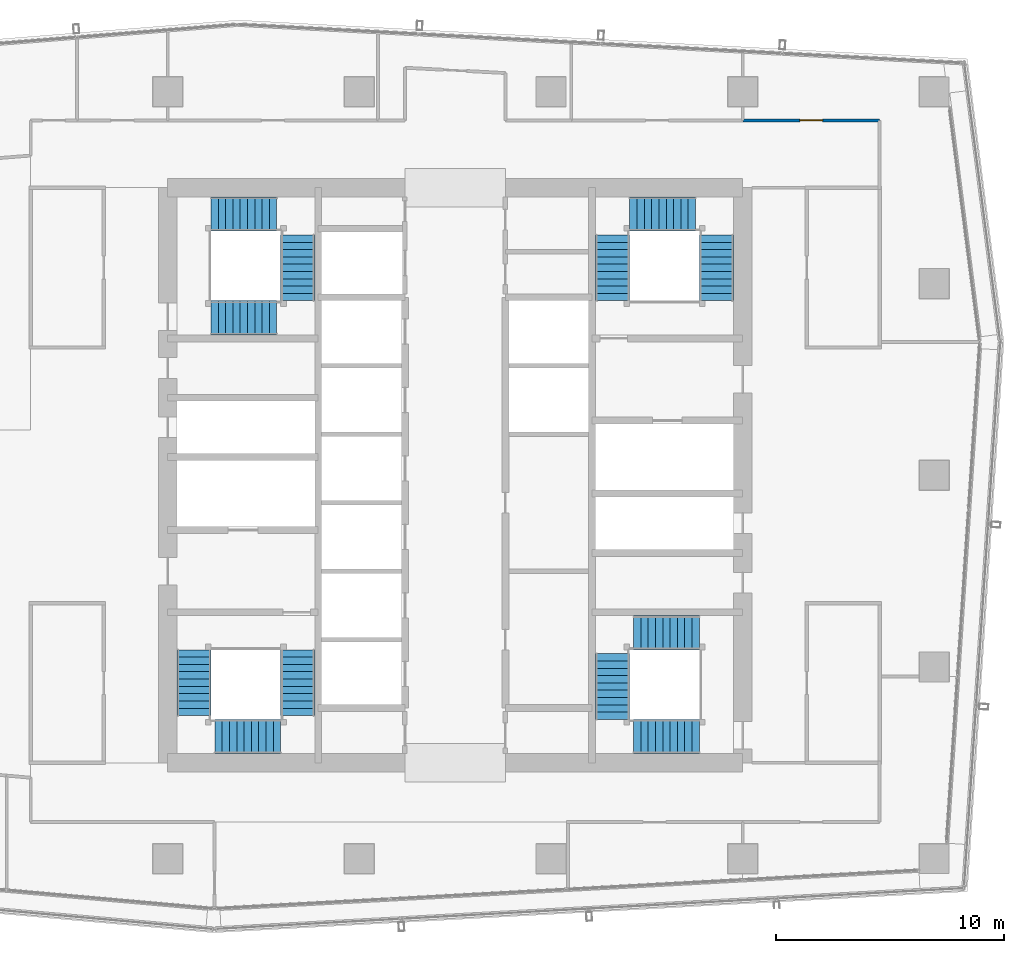
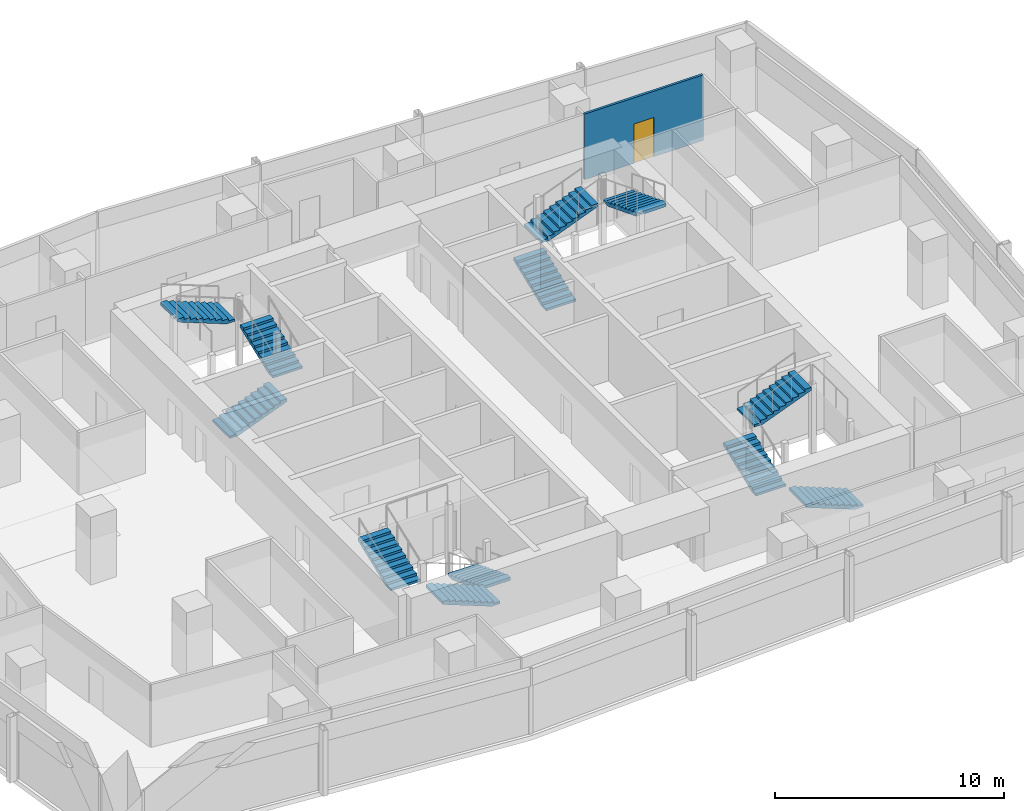
# One storey, part 25 of 29: 12 stair flights, 1 door, 1 wall, 1 opening, 4 elements without a shape of their own.
"""IFC4 building model written with IfcOpenShell, lengths in metres."""

from ifc_helpers import new_model, si_unit, direction, frame, frame_2d, origin, place, context, subcontext, project, spatial, polyline, rectangle, outline, extrude, material, layer, layer_set, type_object, element, fill, aggregate, save


model = new_model("IFC4")

# Units and contexts
model_context = context("Model", 3, precision=1e-05, world=origin(), true_north=direction((0.0, 1.0)))
body_context = subcontext(model_context, "Body", "Model", "MODEL_VIEW")
ifc_project = project(units=[si_unit("LENGTHUNIT", "METRE"), si_unit("AREAUNIT", "SQUARE_METRE"), si_unit("VOLUMEUNIT", "CUBIC_METRE"), si_unit("PLANEANGLEUNIT", "RADIAN"), si_unit("MASSUNIT", "GRAM", prefix="KILO")], contexts=[model_context])

# Site, building, storey
site_placement = place(None, origin())
site = spatial("IfcSite", under=ifc_project, at=site_placement, CompositionType="ELEMENT")
building_placement = place(site_placement, origin())
building = spatial("IfcBuilding", under=site, at=building_placement, Name="Rekha Terrace Tower", CompositionType="ELEMENT")
storey_placement = place(building_placement, frame((0.0, 0.0, 257.60009765625)))
storey = spatial("IfcBuildingStorey", under=building, at=storey_placement, Name="L65", CompositionType="ELEMENT", Elevation=257.60009765625)

# Wall, opening, door
ifc_material_1 = material(Name="Two layers of fire-rated gypsum board each side on steel studs, acoustic quilt, 1 hour", Category="steel")
ifc_layer = layer(ifc_material_1, 0.125)
ifc_layer_set = layer_set([ifc_layer], Name="Two layers of fire-rated gypsum board each side on steel studs, acoustic quilt, 1 hour")
wall_type = type_object("IfcWallType", Name="WP3 125 office partition", PredefinedType="PARTITIONING", material=ifc_layer_set)
wall_placement = place(storey_placement, frame((56.39990234375, 49.14990234375, 0.0), z_axis=(0.0, 0.0, 1.0), x_axis=(-1.0, 0.0, 0.0)))
wall = element("IfcWall", 1, at=wall_placement, inside=storey, type_object=wall_type, Name="Partition L65-06", PredefinedType="PARTITIONING", context=body_context, shape_type="SweptSolid", body=[
    extrude(rectangle(XDim=5.996826171875, YDim=0.125, at=frame_2d((2.99853515625, 0.0))), origin(), (0.0, 0.0, 1.0), 3.5),
])
opening_placement = place(wall_placement, frame((2.498046875, 0.0, 0.0)))
opening = element("IfcOpeningElement", 2, at=opening_placement, cuts=wall, Name="Opening D9", PredefinedType="OPENING", context=body_context, shape_type="SweptSolid", body=[
    extrude(rectangle(XDim=1.0, YDim=2.10009765625, at=frame_2d((0.5, 1.050048828125))), frame((0.0, 0.072509765625, 0.0), z_axis=(0.0, -1.0, 0.0), x_axis=(1.0, 0.0, 0.0)), (0.0, 0.0, 1.0), 0.14501953125),
])
ifc_material_2 = material(Name="Timber fire door", Category="wood")
door_type = type_object("IfcDoorType", Name="D9 1000x2100 office door", OperationType="SINGLE_SWING_LEFT", PredefinedType="DOOR", material=ifc_material_2)
door_placement = place(opening_placement, origin())
door = element("IfcDoor", 3, at=door_placement, inside=storey, type_object=door_type, Name="Door director's office L65", OperationType="SINGLE_SWING_LEFT", OverallHeight=2.10009765625, OverallWidth=1.0, PredefinedType="DOOR", context=body_context, shape_type="SweptSolid", body=[
    extrude(rectangle(XDim=1.0, YDim=2.10009765625, at=frame_2d((0.5, 1.050048828125))), frame((0.0, 0.02490234375, 0.0), z_axis=(0.0, -1.0, 0.0), x_axis=(1.0, 0.0, 0.0)), (0.0, 0.0, 1.0), 0.050048828125),
])
fill(opening, door)

# Stair, stair flights
ifc_material_3 = material(Name="Concrete M40", Category="concrete")
stair_type = type_object("IfcStairType", Name="ST30 stair, 30 risers of 125, going 320, 1500 wide flights, 3 flights", PredefinedType="HALF_TURN_STAIR", material=ifc_material_3)
stair_1_placement = place(storey_placement, origin())
stair_1 = element("IfcStair", 4, at=stair_1_placement, inside=storey, type_object=stair_type, Name="Stair ST1 L65 to L66", PredefinedType="HALF_TURN_STAIR")
stair_flight_type = type_object("IfcStairFlightType", Name="SF10 stair flight, 10 risers of 125, going 320, 1500 wide", PredefinedType="STRAIGHT", material=ifc_material_3)
stair_flight_1_placement = place(storey_placement, frame((30.89990234375, 25.949951171875, 0.0), z_axis=(0.0, 0.0, 1.0), x_axis=(0.0, -1.0, 0.0)))
stair_flight_1 = element("IfcStairFlight", 5, at=stair_flight_1_placement, type_object=stair_flight_type, Name="ST1 flight 1", NumberOfRisers=10, NumberOfTreads=9, PredefinedType="STRAIGHT", RiserHeight=0.125, TreadLength=0.32, context=body_context, shape_type="SweptSolid", body=[
    extrude(outline(polyline([(0.0, 0.0), (0.0, 0.125), (0.320068359375, 0.125), (0.320068359375, 0.25), (0.639892578125, 0.25), (0.639892578125, 0.375), (0.9599609375, 0.375), (0.9599609375, 0.5), (1.280029296875, 0.5), (1.280029296875, 0.625), (1.60009765625, 0.625), (1.60009765625, 0.75), (1.919921875, 0.75), (1.919921875, 0.875), (2.239990234375, 0.875), (2.239990234375, 1.0), (2.56005859375, 1.0), (2.56005859375, 1.125), (2.8798828125, 1.125), (2.8798828125, 1.25), (2.8798828125, 0.964111328125), (0.412109375, 0.0), (0.0, 0.0)])), frame((0.0, 0.75, 0.0), z_axis=(0.0, -1.0, 0.0), x_axis=(1.0, 0.0, 0.0)), (0.0, 0.0, 1.0), 1.5),
])
stair_flight_2_placement = place(storey_placement, frame((30.14990234375, 22.14990234375, 1.25), z_axis=(0.0, 0.0, 1.0), x_axis=(-1.0, 0.0, 0.0)))
stair_flight_2 = element("IfcStairFlight", 6, at=stair_flight_2_placement, type_object=stair_flight_type, Name="ST1 flight 2", NumberOfRisers=10, NumberOfTreads=9, PredefinedType="STRAIGHT", RiserHeight=0.125, TreadLength=0.32, context=body_context, shape_type="SweptSolid", body=[
    extrude(outline(polyline([(0.0, 0.0), (0.0, 0.125), (0.320068359375, 0.125), (0.320068359375, 0.25), (0.639892578125, 0.25), (0.639892578125, 0.375), (0.9599609375, 0.375), (0.9599609375, 0.5), (1.280029296875, 0.5), (1.280029296875, 0.625), (1.60009765625, 0.625), (1.60009765625, 0.75), (1.919921875, 0.75), (1.919921875, 0.875), (2.239990234375, 0.875), (2.239990234375, 1.0), (2.56005859375, 1.0), (2.56005859375, 1.125), (2.8798828125, 1.125), (2.8798828125, 1.25), (2.8798828125, 0.964111328125), (0.412109375, 0.0), (0.0, 0.0)])), frame((0.0, 0.75, 0.0), z_axis=(0.0, -1.0, 0.0), x_axis=(1.0, 0.0, 0.0)), (0.0, 0.0, 1.0), 1.5),
])
stair_flight_3_placement = place(storey_placement, frame((26.35009765625, 23.070068359375, 2.5), z_axis=(0.0, 0.0, 1.0), x_axis=(0.0, 1.0, 0.0)))
stair_flight_3 = element("IfcStairFlight", 7, at=stair_flight_3_placement, type_object=stair_flight_type, Name="ST1 flight 3", NumberOfRisers=10, NumberOfTreads=9, PredefinedType="STRAIGHT", RiserHeight=0.125, TreadLength=0.32, context=body_context, shape_type="SweptSolid", body=[
    extrude(outline(polyline([(0.0, 0.0), (0.0, 0.125), (0.320068359375, 0.125), (0.320068359375, 0.25), (0.639892578125, 0.25), (0.639892578125, 0.375), (0.9599609375, 0.375), (0.9599609375, 0.5), (1.280029296875, 0.5), (1.280029296875, 0.625), (1.60009765625, 0.625), (1.60009765625, 0.75), (1.919921875, 0.75), (1.919921875, 0.875), (2.239990234375, 0.875), (2.239990234375, 1.0), (2.56005859375, 1.0), (2.56005859375, 1.125), (2.8798828125, 1.125), (2.8798828125, 1.25), (2.8798828125, 0.964111328125), (0.412109375, 0.0), (0.0, 0.0)])), frame((0.0, 0.75, 0.0), z_axis=(0.0, -1.0, 0.0), x_axis=(1.0, 0.0, 0.0)), (0.0, 0.0, 1.0), 1.5),
])
aggregate(stair_1, [stair_flight_1, stair_flight_2, stair_flight_3])

stair_2_placement = place(storey_placement, origin())
stair_2 = element("IfcStair", 8, at=stair_2_placement, inside=storey, type_object=stair_type, Name="Stair ST2 L65 to L66", PredefinedType="HALF_TURN_STAIR")
stair_flight_4_placement = place(storey_placement, frame((44.699951171875, 41.25, 0.0), z_axis=(0.0, 0.0, 1.0), x_axis=(0.0, 1.0, 0.0)))
stair_flight_4 = element("IfcStairFlight", 9, at=stair_flight_4_placement, type_object=stair_flight_type, Name="ST2 flight 1", NumberOfRisers=10, NumberOfTreads=9, PredefinedType="STRAIGHT", RiserHeight=0.125, TreadLength=0.32, context=body_context, shape_type="SweptSolid", body=[
    extrude(outline(polyline([(0.0, 0.0), (0.0, 0.125), (0.320068359375, 0.125), (0.320068359375, 0.25), (0.639892578125, 0.25), (0.639892578125, 0.375), (0.9599609375, 0.375), (0.9599609375, 0.5), (1.280029296875, 0.5), (1.280029296875, 0.625), (1.60009765625, 0.625), (1.60009765625, 0.75), (1.919921875, 0.75), (1.919921875, 0.875), (2.239990234375, 0.875), (2.239990234375, 1.0), (2.56005859375, 1.0), (2.56005859375, 1.125), (2.8798828125, 1.125), (2.8798828125, 1.25), (2.8798828125, 0.964111328125), (0.412109375, 0.0), (0.0, 0.0)])), frame((0.0, 0.75, 0.0), z_axis=(0.0, -1.0, 0.0), x_axis=(1.0, 0.0, 0.0)), (0.0, 0.0, 1.0), 1.5),
])
stair_flight_5_placement = place(storey_placement, frame((45.449951171875, 45.050048828125, 1.25), z_axis=(0.0, 0.0, 1.0), x_axis=(1.0, 0.0, 0.0)))
stair_flight_5 = element("IfcStairFlight", 10, at=stair_flight_5_placement, type_object=stair_flight_type, Name="ST2 flight 2", NumberOfRisers=10, NumberOfTreads=9, PredefinedType="STRAIGHT", RiserHeight=0.125, TreadLength=0.32, context=body_context, shape_type="SweptSolid", body=[
    extrude(outline(polyline([(0.0, 0.0), (0.0, 0.125), (0.320068359375, 0.125), (0.320068359375, 0.25), (0.639892578125, 0.25), (0.639892578125, 0.375), (0.9599609375, 0.375), (0.9599609375, 0.5), (1.280029296875, 0.5), (1.280029296875, 0.625), (1.60009765625, 0.625), (1.60009765625, 0.75), (1.919921875, 0.75), (1.919921875, 0.875), (2.239990234375, 0.875), (2.239990234375, 1.0), (2.56005859375, 1.0), (2.56005859375, 1.125), (2.8798828125, 1.125), (2.8798828125, 1.25), (2.8798828125, 0.964111328125), (0.412109375, 0.0), (0.0, 0.0)])), frame((0.0, 0.75, 0.0), z_axis=(0.0, -1.0, 0.0), x_axis=(1.0, 0.0, 0.0)), (0.0, 0.0, 1.0), 1.5),
])
stair_flight_6_placement = place(storey_placement, frame((49.25, 44.1298828125, 2.5), z_axis=(0.0, 0.0, 1.0), x_axis=(0.0, -1.0, 0.0)))
stair_flight_6 = element("IfcStairFlight", 11, at=stair_flight_6_placement, type_object=stair_flight_type, Name="ST2 flight 3", NumberOfRisers=10, NumberOfTreads=9, PredefinedType="STRAIGHT", RiserHeight=0.125, TreadLength=0.32, context=body_context, shape_type="SweptSolid", body=[
    extrude(outline(polyline([(0.0, 0.0), (0.0, 0.125), (0.320068359375, 0.125), (0.320068359375, 0.25), (0.639892578125, 0.25), (0.639892578125, 0.375), (0.9599609375, 0.375), (0.9599609375, 0.5), (1.280029296875, 0.5), (1.280029296875, 0.625), (1.60009765625, 0.625), (1.60009765625, 0.75), (1.919921875, 0.75), (1.919921875, 0.875), (2.239990234375, 0.875), (2.239990234375, 1.0), (2.56005859375, 1.0), (2.56005859375, 1.125), (2.8798828125, 1.125), (2.8798828125, 1.25), (2.8798828125, 0.964111328125), (0.412109375, 0.0), (0.0, 0.0)])), frame((0.0, 0.75, 0.0), z_axis=(0.0, -1.0, 0.0), x_axis=(1.0, 0.0, 0.0)), (0.0, 0.0, 1.0), 1.5),
])
aggregate(stair_2, [stair_flight_4, stair_flight_5, stair_flight_6])

stair_3_placement = place(storey_placement, origin())
stair_3 = element("IfcStair", 12, at=stair_3_placement, inside=storey, type_object=stair_type, Name="Stair ST3 L65 to L66", PredefinedType="HALF_TURN_STAIR")
stair_flight_7_placement = place(storey_placement, frame((48.5, 22.14990234375, 0.0), z_axis=(0.0, 0.0, 1.0), x_axis=(-1.0, 0.0, 0.0)))
stair_flight_7 = element("IfcStairFlight", 13, at=stair_flight_7_placement, type_object=stair_flight_type, Name="ST3 flight 1", NumberOfRisers=10, NumberOfTreads=9, PredefinedType="STRAIGHT", RiserHeight=0.125, TreadLength=0.32, context=body_context, shape_type="SweptSolid", body=[
    extrude(outline(polyline([(0.0, 0.0), (0.0, 0.125), (0.320068359375, 0.125), (0.320068359375, 0.25), (0.639892578125, 0.25), (0.639892578125, 0.375), (0.9599609375, 0.375), (0.9599609375, 0.5), (1.280029296875, 0.5), (1.280029296875, 0.625), (1.60009765625, 0.625), (1.60009765625, 0.75), (1.919921875, 0.75), (1.919921875, 0.875), (2.239990234375, 0.875), (2.239990234375, 1.0), (2.56005859375, 1.0), (2.56005859375, 1.125), (2.8798828125, 1.125), (2.8798828125, 1.25), (2.8798828125, 0.964111328125), (0.412109375, 0.0), (0.0, 0.0)])), frame((0.0, 0.75, 0.0), z_axis=(0.0, -1.0, 0.0), x_axis=(1.0, 0.0, 0.0)), (0.0, 0.0, 1.0), 1.5),
])
stair_flight_8_placement = place(storey_placement, frame((44.699951171875, 22.89990234375, 1.25), z_axis=(0.0, 0.0, 1.0), x_axis=(0.0, 1.0, 0.0)))
stair_flight_8 = element("IfcStairFlight", 14, at=stair_flight_8_placement, type_object=stair_flight_type, Name="ST3 flight 2", NumberOfRisers=10, NumberOfTreads=9, PredefinedType="STRAIGHT", RiserHeight=0.125, TreadLength=0.32, context=body_context, shape_type="SweptSolid", body=[
    extrude(outline(polyline([(0.0, 0.0), (0.0, 0.125), (0.320068359375, 0.125), (0.320068359375, 0.25), (0.639892578125, 0.25), (0.639892578125, 0.375), (0.9599609375, 0.375), (0.9599609375, 0.5), (1.280029296875, 0.5), (1.280029296875, 0.625), (1.60009765625, 0.625), (1.60009765625, 0.75), (1.919921875, 0.75), (1.919921875, 0.875), (2.239990234375, 0.875), (2.239990234375, 1.0), (2.56005859375, 1.0), (2.56005859375, 1.125), (2.8798828125, 1.125), (2.8798828125, 1.25), (2.8798828125, 0.964111328125), (0.412109375, 0.0), (0.0, 0.0)])), frame((0.0, 0.75, 0.0), z_axis=(0.0, -1.0, 0.0), x_axis=(1.0, 0.0, 0.0)), (0.0, 0.0, 1.0), 1.5),
])
stair_flight_9_placement = place(storey_placement, frame((45.6201171875, 26.699951171875, 2.5), z_axis=(0.0, 0.0, 1.0), x_axis=(1.0, 0.0, 0.0)))
stair_flight_9 = element("IfcStairFlight", 15, at=stair_flight_9_placement, type_object=stair_flight_type, Name="ST3 flight 3", NumberOfRisers=10, NumberOfTreads=9, PredefinedType="STRAIGHT", RiserHeight=0.125, TreadLength=0.32, context=body_context, shape_type="SweptSolid", body=[
    extrude(outline(polyline([(0.0, 0.0), (0.0, 0.125), (0.320068359375, 0.125), (0.320068359375, 0.25), (0.639892578125, 0.25), (0.639892578125, 0.375), (0.9599609375, 0.375), (0.9599609375, 0.5), (1.280029296875, 0.5), (1.280029296875, 0.625), (1.60009765625, 0.625), (1.60009765625, 0.75), (1.919921875, 0.75), (1.919921875, 0.875), (2.239990234375, 0.875), (2.239990234375, 1.0), (2.56005859375, 1.0), (2.56005859375, 1.125), (2.8798828125, 1.125), (2.8798828125, 1.25), (2.8798828125, 0.964111328125), (0.412109375, 0.0), (0.0, 0.0)])), frame((0.0, 0.75, 0.0), z_axis=(0.0, -1.0, 0.0), x_axis=(1.0, 0.0, 0.0)), (0.0, 0.0, 1.0), 1.5),
])
aggregate(stair_3, [stair_flight_7, stair_flight_8, stair_flight_9])

stair_4_placement = place(storey_placement, origin())
stair_4 = element("IfcStair", 16, at=stair_4_placement, inside=storey, type_object=stair_type, Name="Stair ST4 L65 to L66", PredefinedType="HALF_TURN_STAIR")
stair_flight_10_placement = place(storey_placement, frame((27.10009765625, 40.5, 0.0), z_axis=(0.0, 0.0, 1.0), x_axis=(1.0, 0.0, 0.0)))
stair_flight_10 = element("IfcStairFlight", 17, at=stair_flight_10_placement, type_object=stair_flight_type, Name="ST4 flight 1", NumberOfRisers=10, NumberOfTreads=9, PredefinedType="STRAIGHT", RiserHeight=0.125, TreadLength=0.32, context=body_context, shape_type="SweptSolid", body=[
    extrude(outline(polyline([(0.0, 0.0), (0.0, 0.125), (0.320068359375, 0.125), (0.320068359375, 0.25), (0.639892578125, 0.25), (0.639892578125, 0.375), (0.9599609375, 0.375), (0.9599609375, 0.5), (1.280029296875, 0.5), (1.280029296875, 0.625), (1.60009765625, 0.625), (1.60009765625, 0.75), (1.919921875, 0.75), (1.919921875, 0.875), (2.239990234375, 0.875), (2.239990234375, 1.0), (2.56005859375, 1.0), (2.56005859375, 1.125), (2.8798828125, 1.125), (2.8798828125, 1.25), (2.8798828125, 0.964111328125), (0.412109375, 0.0), (0.0, 0.0)])), frame((0.0, 0.75, 0.0), z_axis=(0.0, -1.0, 0.0), x_axis=(1.0, 0.0, 0.0)), (0.0, 0.0, 1.0), 1.5),
])
stair_flight_11_placement = place(storey_placement, frame((30.89990234375, 41.25, 1.25), z_axis=(0.0, 0.0, 1.0), x_axis=(0.0, 1.0, 0.0)))
stair_flight_11 = element("IfcStairFlight", 18, at=stair_flight_11_placement, type_object=stair_flight_type, Name="ST4 flight 2", NumberOfRisers=10, NumberOfTreads=9, PredefinedType="STRAIGHT", RiserHeight=0.125, TreadLength=0.32, context=body_context, shape_type="SweptSolid", body=[
    extrude(outline(polyline([(0.0, 0.0), (0.0, 0.125), (0.320068359375, 0.125), (0.320068359375, 0.25), (0.639892578125, 0.25), (0.639892578125, 0.375), (0.9599609375, 0.375), (0.9599609375, 0.5), (1.280029296875, 0.5), (1.280029296875, 0.625), (1.60009765625, 0.625), (1.60009765625, 0.75), (1.919921875, 0.75), (1.919921875, 0.875), (2.239990234375, 0.875), (2.239990234375, 1.0), (2.56005859375, 1.0), (2.56005859375, 1.125), (2.8798828125, 1.125), (2.8798828125, 1.25), (2.8798828125, 0.964111328125), (0.412109375, 0.0), (0.0, 0.0)])), frame((0.0, 0.75, 0.0), z_axis=(0.0, -1.0, 0.0), x_axis=(1.0, 0.0, 0.0)), (0.0, 0.0, 1.0), 1.5),
])
stair_flight_12_placement = place(storey_placement, frame((29.97998046875, 45.050048828125, 2.5), z_axis=(0.0, 0.0, 1.0), x_axis=(-1.0, 0.0, 0.0)))
stair_flight_12 = element("IfcStairFlight", 19, at=stair_flight_12_placement, type_object=stair_flight_type, Name="ST4 flight 3", NumberOfRisers=10, NumberOfTreads=9, PredefinedType="STRAIGHT", RiserHeight=0.125, TreadLength=0.32, context=body_context, shape_type="SweptSolid", body=[
    extrude(outline(polyline([(0.0, 0.0), (0.0, 0.125), (0.320068359375, 0.125), (0.320068359375, 0.25), (0.639892578125, 0.25), (0.639892578125, 0.375), (0.9599609375, 0.375), (0.9599609375, 0.5), (1.280029296875, 0.5), (1.280029296875, 0.625), (1.60009765625, 0.625), (1.60009765625, 0.75), (1.919921875, 0.75), (1.919921875, 0.875), (2.239990234375, 0.875), (2.239990234375, 1.0), (2.56005859375, 1.0), (2.56005859375, 1.125), (2.8798828125, 1.125), (2.8798828125, 1.25), (2.8798828125, 0.964111328125), (0.412109375, 0.0), (0.0, 0.0)])), frame((0.0, 0.75, 0.0), z_axis=(0.0, -1.0, 0.0), x_axis=(1.0, 0.0, 0.0)), (0.0, 0.0, 1.0), 1.5),
])
aggregate(stair_4, [stair_flight_10, stair_flight_11, stair_flight_12])

save(model, "model.ifc")
